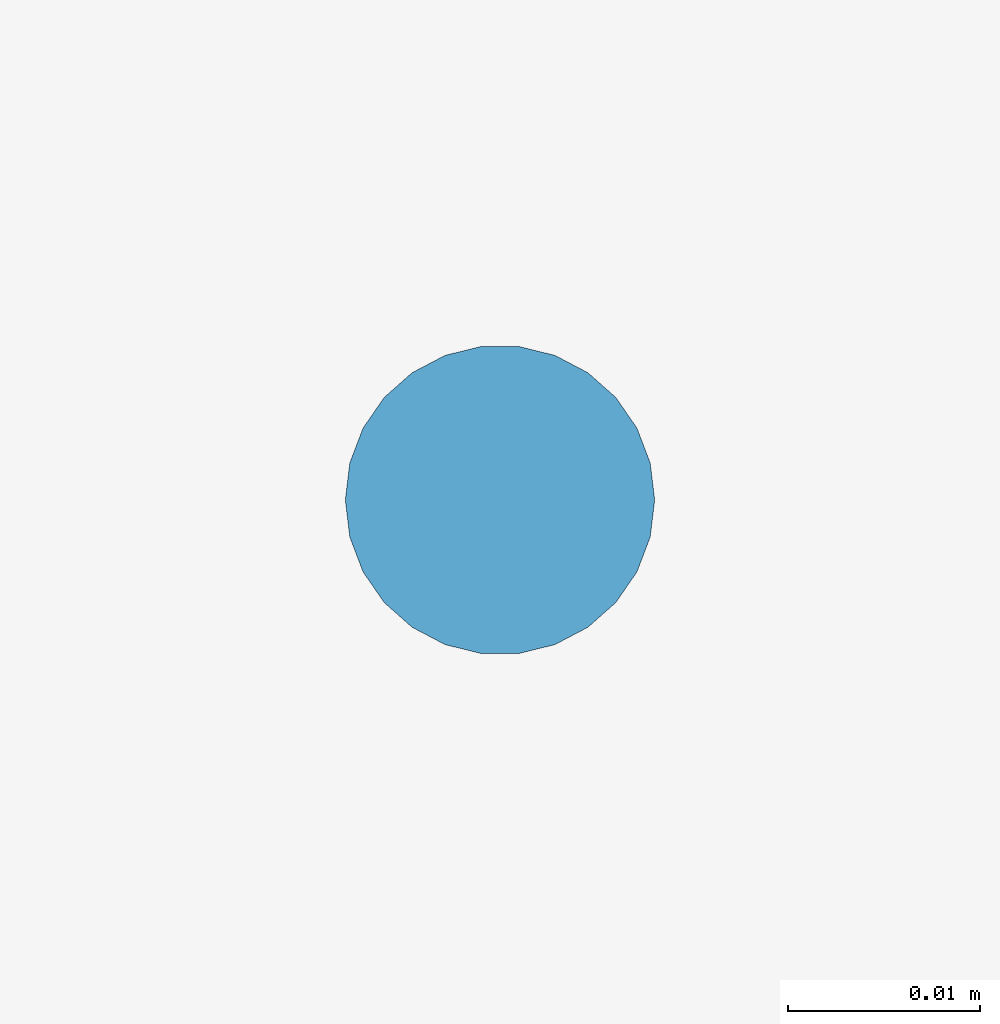
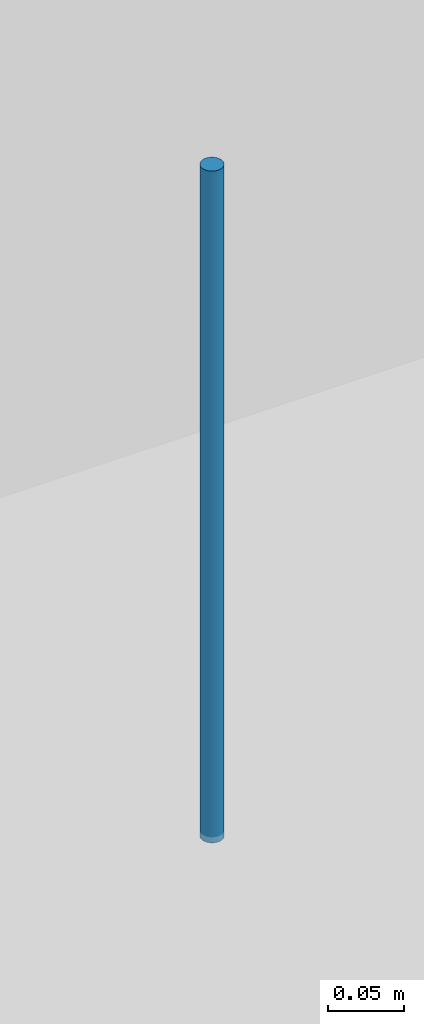
# One storey, part 72 of 82: 1 discrete accessory.
"""IFC4 building model written with IfcOpenShell, lengths in metres."""

from ifc_helpers import new_model, si_unit, direction, frame, origin, origin_2d, place, context, subcontext, project, spatial, circle, extrude, material, type_object, element, save


model = new_model("IFC4")

# Units and contexts
model_context = context("Model", 3, precision=1e-05, world=origin(), true_north=direction((0.0, 1.0)))
body_context = subcontext(model_context, "Body", "Model", "MODEL_VIEW")
ifc_project = project(units=[si_unit("LENGTHUNIT", "METRE"), si_unit("AREAUNIT", "SQUARE_METRE"), si_unit("VOLUMEUNIT", "CUBIC_METRE"), si_unit("PLANEANGLEUNIT", "RADIAN"), si_unit("MASSUNIT", "GRAM", prefix="KILO")], contexts=[model_context])

# Site, building, storey
site_placement = place(None, origin())
site = spatial("IfcSite", under=ifc_project, at=site_placement, CompositionType="ELEMENT")
building_placement = place(site_placement, origin())
building = spatial("IfcBuilding", under=site, at=building_placement, Name="Yukiwa Park Conservatory and Herbarium", CompositionType="ELEMENT")
storey_placement = place(building_placement, origin())
storey = spatial("IfcBuildingStorey", under=building, at=storey_placement, Name="L00", CompositionType="ELEMENT", Elevation=0.0)

# Discrete accessory
ifc_material = material(Name="Steel Q235B", Category="steel")
discrete_accessory_type = type_object("IfcDiscreteAccessoryType", Name="ACC-CEILING-HANGER", PredefinedType="BRACKET", material=ifc_material)
discrete_accessory_placement = place(storey_placement, frame((90.89990234375, 64.60009765625, 4.02490234375), z_axis=(0.0, 0.0, 1.0), x_axis=(1.0, 0.0, 0.0)))
element("IfcDiscreteAccessory", 1, at=discrete_accessory_placement, inside=storey, type_object=discrete_accessory_type, Name="Ceiling suspension hanger rod 8", PredefinedType="BRACKET", context=body_context, shape_type="SweptSolid", body=[
    extrude(circle(Radius=0.008056640625, at=origin_2d()), origin(), (0.0, 0.0, 1.0), 0.5400390625),
])

save(model, "model.ifc")
